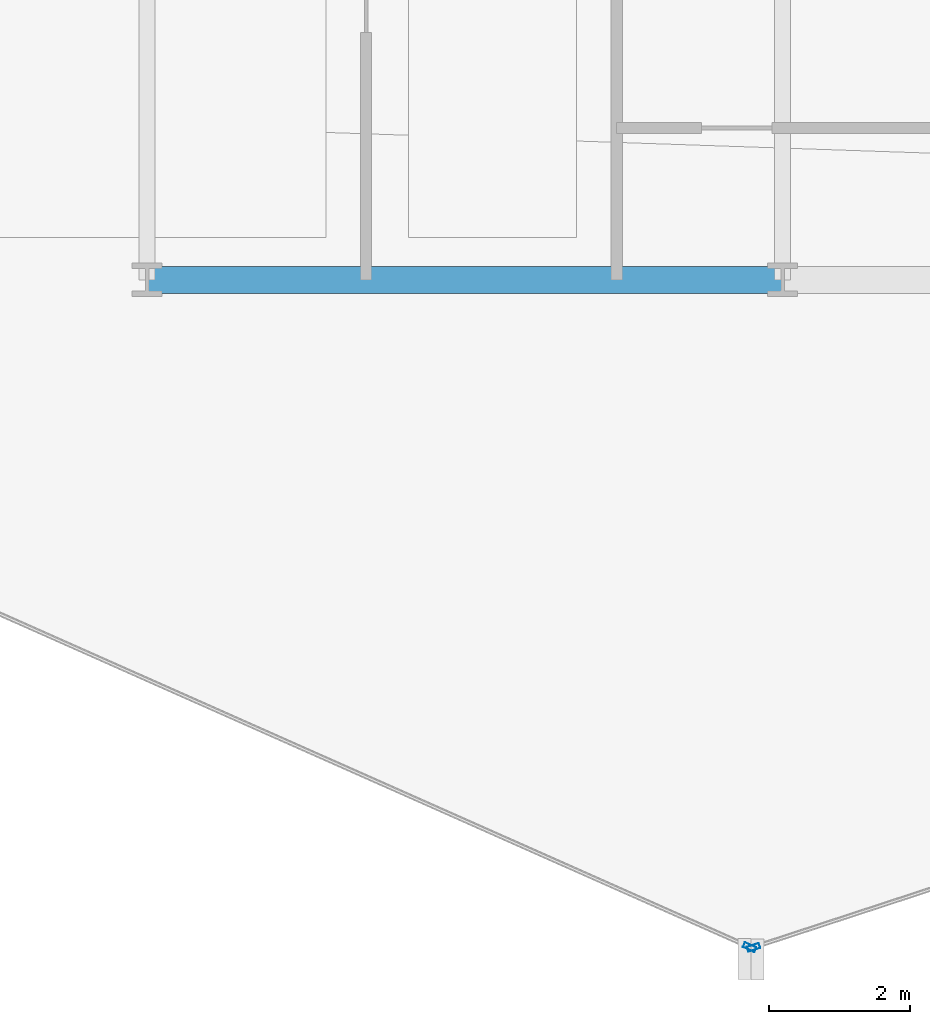
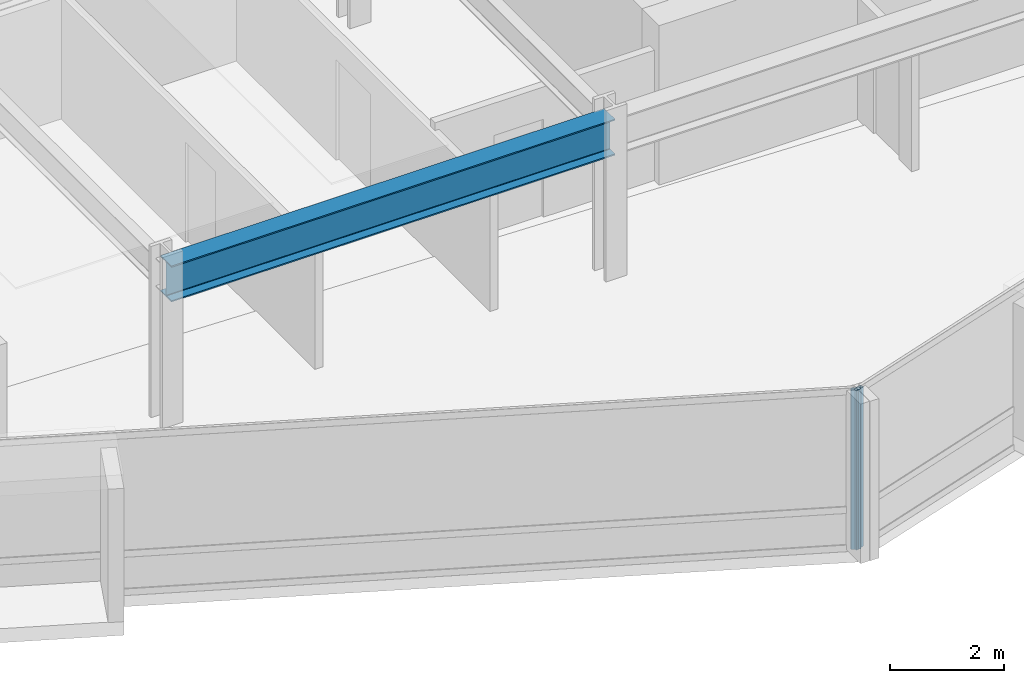
# One storey, part 4 of 34: 2 members, 1 beam, 2 elements without a shape of their own.
"""IFC4 building model written with IfcOpenShell, lengths in metres."""

from ifc_helpers import new_model, si_unit, direction, frame, origin, origin_2d, place, context, subcontext, project, spatial, hollow_rectangle, i_section, extrude, material, layer, layer_set, material_profile, profile_set, type_object, element, aggregate, save


model = new_model("IFC4")

# Units and contexts
model_context = context("Model", 3, precision=1e-05, world=origin(), true_north=direction((0.0, 1.0)))
body_context = subcontext(model_context, "Body", "Model", "MODEL_VIEW")
ifc_project = project(units=[si_unit("LENGTHUNIT", "METRE"), si_unit("AREAUNIT", "SQUARE_METRE"), si_unit("VOLUMEUNIT", "CUBIC_METRE"), si_unit("PLANEANGLEUNIT", "RADIAN"), si_unit("MASSUNIT", "GRAM", prefix="KILO")], contexts=[model_context])

# Site, building, storey
site_placement = place(None, origin())
site = spatial("IfcSite", under=ifc_project, at=site_placement, CompositionType="ELEMENT")
building_placement = place(site_placement, origin())
building = spatial("IfcBuilding", under=site, at=building_placement, Name="Solvaryn Broadcast Tower", CompositionType="ELEMENT")
storey_placement = place(building_placement, frame((0.0, 0.0, 73.0)))
storey = spatial("IfcBuildingStorey", under=building, at=storey_placement, Name="L17", CompositionType="ELEMENT", Elevation=73.0)

# Beam
ifc_material_1 = material(Name="Steel ASTM A992 Grade 50", Category="steel")
ifc_material_profile_1 = material_profile(ifc_material_1, i_section(OverallWidth=0.381103515625, OverallDepth=0.77294921875, WebThickness=0.0166015625, FlangeThickness=0.027099609375, FilletRadius=0.01806640625, at=origin_2d()))
ifc_profile_set_1 = profile_set([ifc_material_profile_1], Name="Steel ASTM A992 Grade 50")
beam_type = type_object("IfcBeamType", Name="BM-SP1-W30X173", PredefinedType="USERDEFINED", material=ifc_profile_set_1)
beam_placement = place(storey_placement, frame((18.0, 9.0, 3.033447265625), z_axis=(1.0, 0.0, 0.0), x_axis=(0.0, 1.0, 0.0)))
element("IfcBeam", 1, at=beam_placement, inside=storey, type_object=beam_type, Name="L17 Spandrel Beam X (18-27 @ Y=9)", ObjectType="SPANDREL", PredefinedType="USERDEFINED", context=body_context, shape_type="SweptSolid", body=[
    extrude(i_section(OverallWidth=0.381103515625, OverallDepth=0.77294921875, WebThickness=0.0166015625, FlangeThickness=0.027099609375, FilletRadius=0.01806640625, at=origin_2d()), origin(), (0.0, 0.0, 1.0), 9.0),
])

# Curtain wall, member
ifc_material_2 = material(Name="Aluminium and Terracotta Unitised Curtain Wall", Category="masonry")
ifc_layer = layer(ifc_material_2, 0.199951171875)
ifc_layer_set = layer_set([ifc_layer], Name="CW-SYS2-LOWMID")
curtain_wall_type = type_object("IfcCurtainWallType", Name="CW-SYS2-LOWMID", PredefinedType="NOTDEFINED", material=ifc_layer_set)
curtain_wall_1_placement = place(storey_placement, origin())
curtain_wall_1 = element("IfcCurtainWall", 2, at=curtain_wall_1_placement, inside=storey, type_object=curtain_wall_type, Name="L17 Curtain Wall DR3", PredefinedType="NOTDEFINED")
ifc_material_3 = material(Name="Anodised Aluminium 6063-T6", Category="aluminium")
ifc_material_profile_2 = material_profile(ifc_material_3, hollow_rectangle(XDim=0.074951171875, YDim=0.179931640625, WallThickness=0.00390625, InnerFilletRadius=0.00390625, OuterFilletRadius=0.008056640625, at=origin_2d()))
ifc_profile_set_2 = profile_set([ifc_material_profile_2], Name="Anodised Aluminium 6063-T6")
member_type = type_object("IfcMemberType", Name="CW-MUL-180", PredefinedType="MULLION", material=ifc_profile_set_2)
member_1_placement = place(storey_placement, frame((26.532470703125, -0.451904296875, 0.0), z_axis=(0.0, 0.0, 1.0), x_axis=(0.405898286554, 0.913918257271, 0.0)))
member_1 = element("IfcMember", 3, at=member_1_placement, type_object=member_type, Name="CWS2 mullion 2", PredefinedType="MULLION", context=body_context, shape_type="SweptSolid", body=[
    extrude(hollow_rectangle(XDim=0.074951171875, YDim=0.179931640625, WallThickness=0.00390625, InnerFilletRadius=0.00390625, OuterFilletRadius=0.008056640625, at=origin_2d()), origin(), (0.0, 0.0, 1.0), 3.419921875),
])
aggregate(curtain_wall_1, [member_1])

curtain_wall_2_placement = place(storey_placement, origin())
curtain_wall_2 = element("IfcCurtainWall", 4, at=curtain_wall_2_placement, inside=storey, type_object=curtain_wall_type, Name="L17 Curtain Wall DR4", PredefinedType="NOTDEFINED")
member_2_placement = place(storey_placement, frame((26.588623046875, -0.45458984375, 0.0), z_axis=(0.0, 0.0, 1.0), x_axis=(-0.311594044587, 0.950215318429, 0.0)))
member_2 = element("IfcMember", 5, at=member_2_placement, type_object=member_type, Name="CWS2 mullion 1", PredefinedType="MULLION", context=body_context, shape_type="SweptSolid", body=[
    extrude(hollow_rectangle(XDim=0.074951171875, YDim=0.179931640625, WallThickness=0.00390625, InnerFilletRadius=0.00390625, OuterFilletRadius=0.008056640625, at=origin_2d()), origin(), (0.0, 0.0, 1.0), 3.419921875),
])
aggregate(curtain_wall_2, [member_2])

save(model, "model.ifc")
